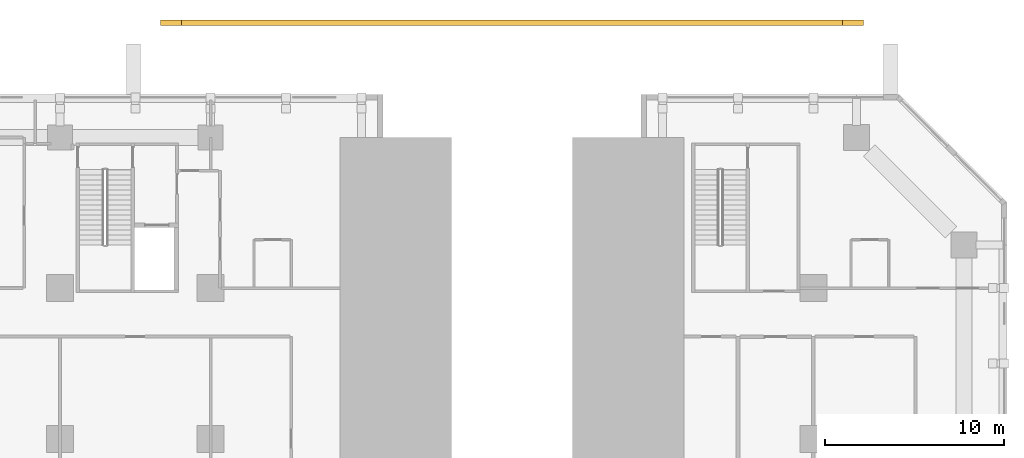
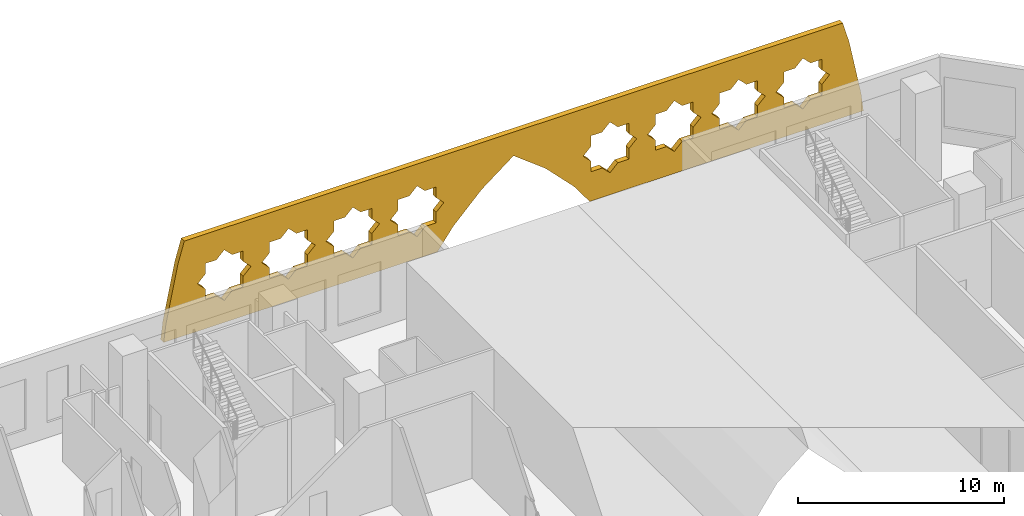
# One storey, part 23 of 24: 1 covering.
"""IFC4 building model written with IfcOpenShell, lengths in metres."""

from ifc_helpers import new_model, si_unit, direction, frame, origin, place, context, subcontext, project, spatial, polyline, outline, extrude, material, layer, layer_set, type_object, element, save


model = new_model("IFC4")

# Units and contexts
model_context = context("Model", 3, precision=1e-05, world=origin(), true_north=direction((0.0, 1.0)))
body_context = subcontext(model_context, "Body", "Model", "MODEL_VIEW")
ifc_project = project(units=[si_unit("LENGTHUNIT", "METRE"), si_unit("AREAUNIT", "SQUARE_METRE"), si_unit("VOLUMEUNIT", "CUBIC_METRE"), si_unit("PLANEANGLEUNIT", "RADIAN"), si_unit("MASSUNIT", "GRAM", prefix="KILO")], contexts=[model_context])

# Site, building, storey
site_placement = place(None, origin())
site = spatial("IfcSite", under=ifc_project, at=site_placement, CompositionType="ELEMENT")
building_placement = place(site_placement, origin())
building = spatial("IfcBuilding", under=site, at=building_placement, Name="Kawkab Arch Medical Tower", CompositionType="ELEMENT")
storey_placement = place(building_placement, frame((0.0, 0.0, 18.199951171875)))
storey = spatial("IfcBuildingStorey", under=building, at=storey_placement, Name="L04", CompositionType="ELEMENT", Elevation=18.199951171875)

# Covering
ifc_material = material(Name="Perforated bronze anodised aluminium, eight-point star pattern", Category="aluminium")
ifc_layer = layer(ifc_material, 0.300048828125)
ifc_layer_set = layer_set([ifc_layer], Name="Perforated bronze anodised aluminium, eight-point star pattern")
covering_type = type_object("IfcCoveringType", Name="Spandrel star screen 300", PredefinedType="USERDEFINED", material=ifc_layer_set)
covering_placement = place(storey_placement, frame((0.0, 6.550048828125, -18.199951171875), z_axis=(0.0, -1.0, 0.0), x_axis=(1.0, 0.0, 0.0)))
element("IfcCovering", 1, at=covering_placement, inside=storey, type_object=covering_type, Name="Spandrel screen N 3.1", ObjectType="SCREEN", PredefinedType="USERDEFINED", context=body_context, shape_type="SweptSolid", body=[
    extrude(outline(polyline([(47.607421875, 18.199951171875), (62.9375, 18.199951171875), (63.823974609375, 19.406005859375), (65.406005859375, 21.02197265625), (67.199951171875, 22.39990234375), (68.993896484375, 21.02197265625), (70.575927734375, 19.406005859375), (71.46240234375, 18.199951171875), (86.79248046875, 18.199951171875), (86.662109375, 19.27783203125), (85.9931640625, 22.562744140625), (85.635986328125, 23.800048828125), (48.763916015625, 23.800048828125), (48.40673828125, 22.562744140625), (47.73779296875, 19.27783203125), (47.607421875, 18.199951171875)]), holes=[polyline([(52.5, 21.0), (52.060791015625, 21.439208984375), (52.060791015625, 22.060791015625), (51.439208984375, 22.060791015625), (51.0, 22.5), (50.560791015625, 22.060791015625), (49.939208984375, 22.060791015625), (49.939208984375, 21.439208984375), (49.5, 21.0), (49.939208984375, 20.560791015625), (49.939208984375, 19.939208984375), (50.560791015625, 19.939208984375), (51.0, 19.5), (51.439208984375, 19.939208984375), (52.060791015625, 19.939208984375), (52.060791015625, 20.560791015625), (52.5, 21.0)]), polyline([(56.10009765625, 21.0), (55.66064453125, 21.439208984375), (55.66064453125, 22.060791015625), (55.039306640625, 22.060791015625), (54.60009765625, 22.5), (54.16064453125, 22.060791015625), (53.539306640625, 22.060791015625), (53.539306640625, 21.439208984375), (53.10009765625, 21.0), (53.539306640625, 20.560791015625), (53.539306640625, 19.939208984375), (54.16064453125, 19.939208984375), (54.60009765625, 19.5), (55.039306640625, 19.939208984375), (55.66064453125, 19.939208984375), (55.66064453125, 20.560791015625), (56.10009765625, 21.0)]), polyline([(59.699951171875, 21.0), (59.2607421875, 21.439208984375), (59.2607421875, 22.060791015625), (58.639404296875, 22.060791015625), (58.199951171875, 22.5), (57.7607421875, 22.060791015625), (57.139404296875, 22.060791015625), (57.139404296875, 21.439208984375), (56.699951171875, 21.0), (57.139404296875, 20.560791015625), (57.139404296875, 19.939208984375), (57.7607421875, 19.939208984375), (58.199951171875, 19.5), (58.639404296875, 19.939208984375), (59.2607421875, 19.939208984375), (59.2607421875, 20.560791015625), (59.699951171875, 21.0)]), polyline([(63.300048828125, 21.0), (62.860595703125, 21.439208984375), (62.860595703125, 22.060791015625), (62.2392578125, 22.060791015625), (61.800048828125, 22.5), (61.360595703125, 22.060791015625), (60.7392578125, 22.060791015625), (60.7392578125, 21.439208984375), (60.300048828125, 21.0), (60.7392578125, 20.560791015625), (60.7392578125, 19.939208984375), (61.360595703125, 19.939208984375), (61.800048828125, 19.5), (62.2392578125, 19.939208984375), (62.860595703125, 19.939208984375), (62.860595703125, 20.560791015625), (63.300048828125, 21.0)]), polyline([(74.10009765625, 21.0), (73.66064453125, 21.439208984375), (73.66064453125, 22.060791015625), (73.039306640625, 22.060791015625), (72.60009765625, 22.5), (72.16064453125, 22.060791015625), (71.539306640625, 22.060791015625), (71.539306640625, 21.439208984375), (71.10009765625, 21.0), (71.539306640625, 20.560791015625), (71.539306640625, 19.939208984375), (72.16064453125, 19.939208984375), (72.60009765625, 19.5), (73.039306640625, 19.939208984375), (73.66064453125, 19.939208984375), (73.66064453125, 20.560791015625), (74.10009765625, 21.0)]), polyline([(77.699951171875, 21.0), (77.2607421875, 21.439208984375), (77.2607421875, 22.060791015625), (76.639404296875, 22.060791015625), (76.199951171875, 22.5), (75.7607421875, 22.060791015625), (75.139404296875, 22.060791015625), (75.139404296875, 21.439208984375), (74.699951171875, 21.0), (75.139404296875, 20.560791015625), (75.139404296875, 19.939208984375), (75.7607421875, 19.939208984375), (76.199951171875, 19.5), (76.639404296875, 19.939208984375), (77.2607421875, 19.939208984375), (77.2607421875, 20.560791015625), (77.699951171875, 21.0)]), polyline([(81.300048828125, 21.0), (80.860595703125, 21.439208984375), (80.860595703125, 22.060791015625), (80.2392578125, 22.060791015625), (79.800048828125, 22.5), (79.360595703125, 22.060791015625), (78.7392578125, 22.060791015625), (78.7392578125, 21.439208984375), (78.300048828125, 21.0), (78.7392578125, 20.560791015625), (78.7392578125, 19.939208984375), (79.360595703125, 19.939208984375), (79.800048828125, 19.5), (80.2392578125, 19.939208984375), (80.860595703125, 19.939208984375), (80.860595703125, 20.560791015625), (81.300048828125, 21.0)]), polyline([(84.89990234375, 21.0), (84.460693359375, 21.439208984375), (84.460693359375, 22.060791015625), (83.83935546875, 22.060791015625), (83.39990234375, 22.5), (82.960693359375, 22.060791015625), (82.33935546875, 22.060791015625), (82.33935546875, 21.439208984375), (81.89990234375, 21.0), (82.33935546875, 20.560791015625), (82.33935546875, 19.939208984375), (82.960693359375, 19.939208984375), (83.39990234375, 19.5), (83.83935546875, 19.939208984375), (84.460693359375, 19.939208984375), (84.460693359375, 20.560791015625), (84.89990234375, 21.0)])]), origin(), (0.0, 0.0, 1.0), 0.300048828125),
])

save(model, "model.ifc")
